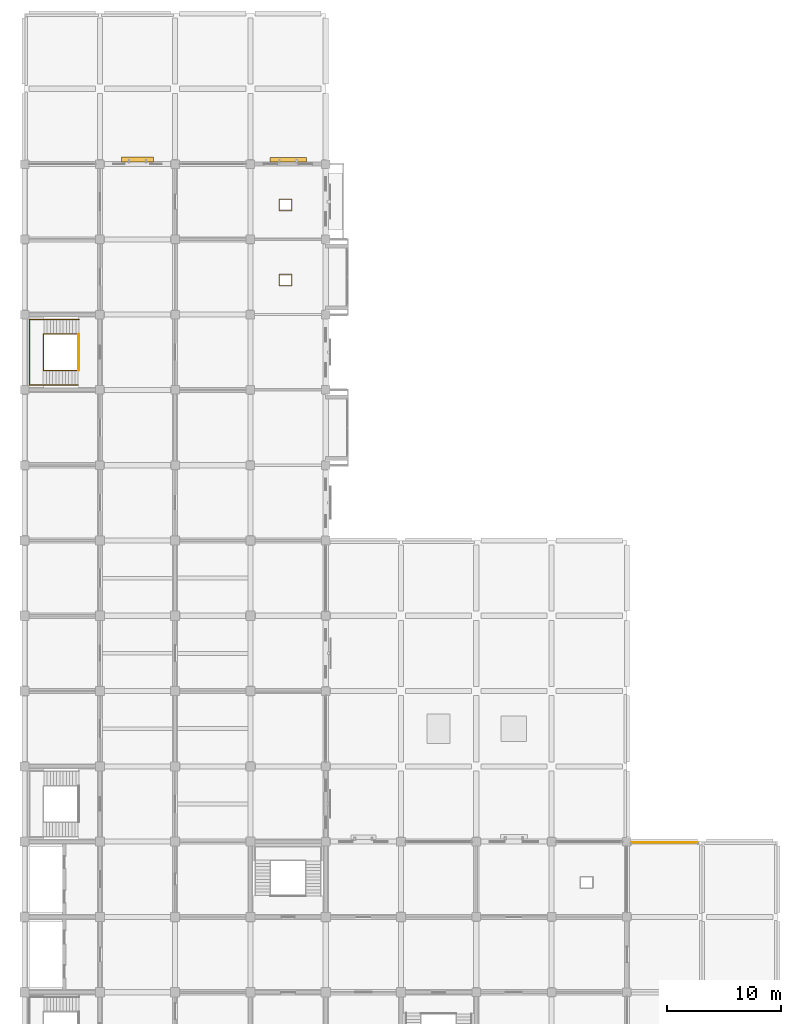
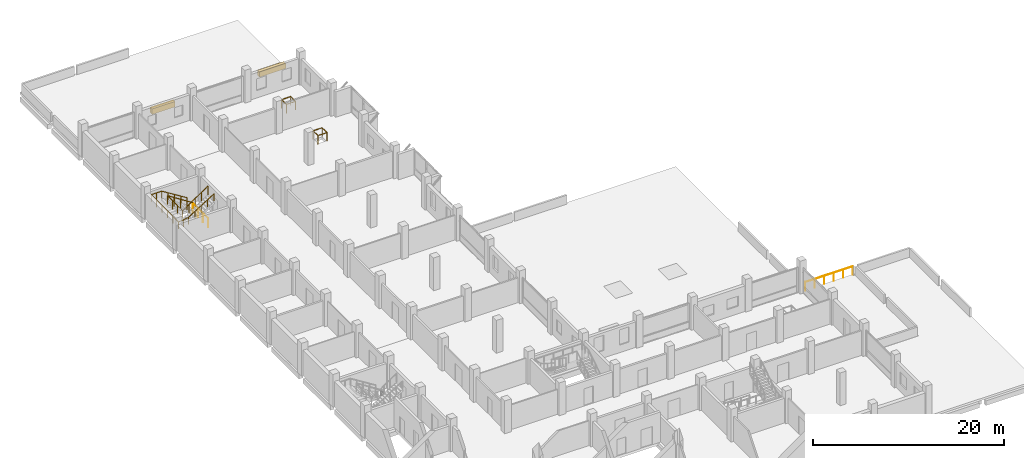
# One storey, part 23 of 23: 6 railings, 2 shading devices.
"""IFC4 building model written with IfcOpenShell, lengths in metres."""

from ifc_helpers import new_model, si_unit, direction, frame, origin, origin_2d, place, context, subcontext, project, spatial, rectangle, circle, extrude, material, type_object, element, save


model = new_model("IFC4")

# Units and contexts
model_context = context("Model", 3, precision=1e-05, world=origin(), true_north=direction((0.0, 1.0)))
body_context = subcontext(model_context, "Body", "Model", "MODEL_VIEW")
ifc_project = project(units=[si_unit("LENGTHUNIT", "METRE"), si_unit("AREAUNIT", "SQUARE_METRE"), si_unit("VOLUMEUNIT", "CUBIC_METRE"), si_unit("PLANEANGLEUNIT", "RADIAN"), si_unit("MASSUNIT", "GRAM", prefix="KILO")], contexts=[model_context])

# Site, building, storey
site_placement = place(None, origin())
site = spatial("IfcSite", under=ifc_project, at=site_placement, CompositionType="ELEMENT")
building_placement = place(site_placement, origin())
building = spatial("IfcBuilding", under=site, at=building_placement, Name="Rusizi Kubbe Research Institute", CompositionType="ELEMENT")
storey_placement = place(building_placement, frame((0.0, 0.0, 18.60009765625)))
storey = spatial("IfcBuildingStorey", under=building, at=storey_placement, Name="L04", CompositionType="ELEMENT", Elevation=18.60009765625)

# Railings
ifc_material_1 = material(Name="Architectural Painted Steel Balustrade", Category="steel")
railing_type_1 = type_object("IfcRailingType", Name="GR-EXT", PredefinedType="GUARDRAIL", material=ifc_material_1)
railing_1_placement = place(storey_placement, frame((53.219970703125, 26.320068359375, 0.0)))
element("IfcRailing", 1, at=railing_1_placement, inside=storey, type_object=railing_type_1, Name="Roof Terrace Guard L04-01", PredefinedType="GUARDRAIL", context=body_context, shape_type="SweptSolid", body=[
    extrude(circle(Radius=0.02392578125, at=origin_2d()), frame((0.0, 0.0, 1.09619140625), z_axis=(1.0, 0.0, 0.0), x_axis=(0.0, 1.0, 0.0)), (0.0, 0.0, 1.0), 5.760009765625),
    extrude(circle(Radius=0.02099609375, at=origin_2d()), origin(), (0.0, 0.0, 1.0), 1.072021484375),
    extrude(circle(Radius=0.02099609375, at=origin_2d()), frame((1.152099609375, 0.0, 0.0)), (0.0, 0.0, 1.0), 1.072021484375),
    extrude(circle(Radius=0.02099609375, at=origin_2d()), frame((2.303955078125, 0.0, 0.0)), (0.0, 0.0, 1.0), 1.072021484375),
    extrude(circle(Radius=0.02099609375, at=origin_2d()), frame((3.4560546875, 0.0, 0.0)), (0.0, 0.0, 1.0), 1.072021484375),
    extrude(circle(Radius=0.02099609375, at=origin_2d()), frame((4.60791015625, 0.0, 0.0)), (0.0, 0.0, 1.0), 1.072021484375),
    extrude(circle(Radius=0.02099609375, at=origin_2d()), frame((5.760009765625, 0.0, 0.0)), (0.0, 0.0, 1.0), 1.072021484375),
])
ifc_material_2 = material(Name="Painted Steel Stair Guard", Category="steel")
railing_type_2 = type_object("IfcRailingType", Name="GR-STAIR", PredefinedType="GUARDRAIL", material=ifc_material_2)
railing_2_placement = place(storey_placement, frame((4.780029296875, 70.889892578125, 0.08740234375)))
element("IfcRailing", 2, at=railing_2_placement, inside=storey, type_object=railing_type_2, Name="Stair Inner Well Guard ST5 L04", PredefinedType="GUARDRAIL", context=body_context, shape_type="SweptSolid", body=[
    extrude(circle(Radius=0.02392578125, at=origin_2d()), frame((0.0, 0.0, 1.09619140625), z_axis=(-0.840361383606, 0.0, 0.542026516828), x_axis=(0.0, -1.0, 0.0)), (0.0, 0.0, 1.0), 3.712890625),
    extrude(circle(Radius=0.02392578125, at=origin_2d()), frame((-3.1201171875, 0.0, 3.1083984375), z_axis=(0.0, -1.0, 0.0), x_axis=(1.0, 0.0, 0.0)), (0.0, 0.0, 1.0), 3.179931640625),
    extrude(circle(Radius=0.02392578125, at=origin_2d()), frame((-3.1201171875, -3.179931640625, 3.1083984375), z_axis=(0.82276741766, 0.0, 0.568378198419), x_axis=(0.0, 1.0, 0.0)), (0.0, 0.0, 1.0), 3.69482421875),
    extrude(circle(Radius=0.02099609375, at=origin_2d()), origin(), (0.0, 0.0, 1.0), 1.072021484375),
    extrude(circle(Radius=0.02099609375, at=origin_2d()), frame((-0.780029296875, 0.0, 0.503173828125)), (0.0, 0.0, 1.0), 1.072021484375),
    extrude(circle(Radius=0.02099609375, at=origin_2d()), frame((-1.56005859375, 0.0, 1.00634765625)), (0.0, 0.0, 1.0), 1.072021484375),
    extrude(circle(Radius=0.02099609375, at=origin_2d()), frame((-2.340087890625, 0.0, 1.50927734375)), (0.0, 0.0, 1.0), 1.072021484375),
    extrude(circle(Radius=0.02099609375, at=origin_2d()), frame((-3.1201171875, 0.0, 2.012451171875)), (0.0, 0.0, 1.0), 1.072021484375),
    extrude(circle(Radius=0.02099609375, at=origin_2d()), frame((-3.1201171875, -1.06005859375, 2.012451171875)), (0.0, 0.0, 1.0), 1.072021484375),
    extrude(circle(Radius=0.02099609375, at=origin_2d()), frame((-3.1201171875, -2.119873046875, 2.012451171875)), (0.0, 0.0, 1.0), 1.072021484375),
    extrude(circle(Radius=0.02099609375, at=origin_2d()), frame((-3.1201171875, -3.179931640625, 2.012451171875)), (0.0, 0.0, 1.0), 1.072021484375),
    extrude(circle(Radius=0.02099609375, at=origin_2d()), frame((-2.360107421875, -3.179931640625, 2.53759765625)), (0.0, 0.0, 1.0), 1.072021484375),
    extrude(circle(Radius=0.02099609375, at=origin_2d()), frame((-1.60009765625, -3.179931640625, 3.0625)), (0.0, 0.0, 1.0), 1.072021484375),
    extrude(circle(Radius=0.02099609375, at=origin_2d()), frame((-0.840087890625, -3.179931640625, 3.58740234375)), (0.0, 0.0, 1.0), 1.072021484375),
    extrude(circle(Radius=0.02099609375, at=origin_2d()), frame((-0.080078125, -3.179931640625, 4.112548828125)), (0.0, 0.0, 1.0), 1.072021484375),
])
railing_3_placement = place(storey_placement, frame((4.75, 70.889892578125, 0.0)))
element("IfcRailing", 3, at=railing_3_placement, inside=storey, type_object=railing_type_2, Name="Stair Floor Edge Guard ST5 L04", PredefinedType="GUARDRAIL", context=body_context, shape_type="SweptSolid", body=[
    extrude(circle(Radius=0.02392578125, at=origin_2d()), frame((0.0, 0.0, 1.09619140625), z_axis=(0.0, -1.0, 0.0), x_axis=(1.0, 0.0, 0.0)), (0.0, 0.0, 1.0), 3.179931640625),
    extrude(circle(Radius=0.02099609375, at=origin_2d()), origin(), (0.0, 0.0, 1.0), 1.072021484375),
    extrude(circle(Radius=0.02099609375, at=origin_2d()), frame((0.0, -1.06005859375, 0.0)), (0.0, 0.0, 1.0), 1.072021484375),
    extrude(circle(Radius=0.02099609375, at=origin_2d()), frame((0.0, -2.119873046875, 0.0)), (0.0, 0.0, 1.0), 1.072021484375),
    extrude(circle(Radius=0.02099609375, at=origin_2d()), frame((0.0, -3.179931640625, 0.0)), (0.0, 0.0, 1.0), 1.072021484375),
])
railing_4_placement = place(storey_placement, frame((22.320068359375, 75.1201171875, 0.0)))
element("IfcRailing", 4, at=railing_4_placement, inside=storey, type_object=railing_type_2, Name="Service Riser Guard L04 NORTHA", PredefinedType="GUARDRAIL", context=body_context, shape_type="SweptSolid", body=[
    extrude(circle(Radius=0.02392578125, at=origin_2d()), frame((0.0, 0.0, 1.09619140625), z_axis=(1.0, 0.0, 0.0), x_axis=(0.0, 1.0, 0.0)), (0.0, 0.0, 1.0), 1.10986328125),
    extrude(circle(Radius=0.02392578125, at=origin_2d()), frame((1.10986328125, 0.0, 1.09619140625), z_axis=(0.0, 1.0, 0.0), x_axis=(-1.0, 0.0, 0.0)), (0.0, 0.0, 1.0), 1.009765625),
    extrude(circle(Radius=0.02392578125, at=origin_2d()), frame((1.10986328125, 1.009765625, 1.09619140625), z_axis=(-1.0, 0.0, 0.0), x_axis=(0.0, -1.0, 0.0)), (0.0, 0.0, 1.0), 1.10986328125),
    extrude(circle(Radius=0.02392578125, at=origin_2d()), frame((0.0, 1.009765625, 1.09619140625), z_axis=(0.0, -1.0, 0.0), x_axis=(1.0, 0.0, 0.0)), (0.0, 0.0, 1.0), 1.009765625),
    extrude(circle(Radius=0.02099609375, at=origin_2d()), origin(), (0.0, 0.0, 1.0), 1.072021484375),
    extrude(circle(Radius=0.02099609375, at=origin_2d()), frame((1.10986328125, 0.0, 0.0)), (0.0, 0.0, 1.0), 1.072021484375),
    extrude(circle(Radius=0.02099609375, at=origin_2d()), frame((1.10986328125, 1.009765625, 0.0)), (0.0, 0.0, 1.0), 1.072021484375),
    extrude(circle(Radius=0.02099609375, at=origin_2d()), frame((0.0, 1.009765625, 0.0)), (0.0, 0.0, 1.0), 1.072021484375),
])
railing_5_placement = place(storey_placement, frame((22.320068359375, 81.719970703125, 0.0)))
element("IfcRailing", 5, at=railing_5_placement, inside=storey, type_object=railing_type_2, Name="Service Riser Guard L04 NORTHB", PredefinedType="GUARDRAIL", context=body_context, shape_type="SweptSolid", body=[
    extrude(circle(Radius=0.02392578125, at=origin_2d()), frame((0.0, 0.0, 1.09619140625), z_axis=(1.0, 0.0, 0.0), x_axis=(0.0, 1.0, 0.0)), (0.0, 0.0, 1.0), 1.10986328125),
    extrude(circle(Radius=0.02392578125, at=origin_2d()), frame((1.10986328125, 0.0, 1.09619140625), z_axis=(0.0, 1.0, 0.0), x_axis=(-1.0, 0.0, 0.0)), (0.0, 0.0, 1.0), 1.010009765625),
    extrude(circle(Radius=0.02392578125, at=origin_2d()), frame((1.10986328125, 1.010009765625, 1.09619140625), z_axis=(-1.0, 0.0, 0.0), x_axis=(0.0, -1.0, 0.0)), (0.0, 0.0, 1.0), 1.10986328125),
    extrude(circle(Radius=0.02392578125, at=origin_2d()), frame((0.0, 1.010009765625, 1.09619140625), z_axis=(0.0, -1.0, 0.0), x_axis=(1.0, 0.0, 0.0)), (0.0, 0.0, 1.0), 1.010009765625),
    extrude(circle(Radius=0.02099609375, at=origin_2d()), origin(), (0.0, 0.0, 1.0), 1.072021484375),
    extrude(circle(Radius=0.02099609375, at=origin_2d()), frame((1.10986328125, 0.0, 0.0)), (0.0, 0.0, 1.0), 1.072021484375),
    extrude(circle(Radius=0.02099609375, at=origin_2d()), frame((1.10986328125, 1.010009765625, 0.0)), (0.0, 0.0, 1.0), 1.072021484375),
    extrude(circle(Radius=0.02099609375, at=origin_2d()), frame((0.0, 1.010009765625, 0.0)), (0.0, 0.0, 1.0), 1.072021484375),
])
ifc_material_3 = material(Name="Brushed Stainless Steel Handrail", Category="steel")
railing_type_3 = type_object("IfcRailingType", Name="HR-STAIR", PredefinedType="HANDRAIL", material=ifc_material_3)
railing_6_placement = place(storey_placement, frame((4.780029296875, 72.179931640625, 0.1748046875)))
element("IfcRailing", 6, at=railing_6_placement, inside=storey, type_object=railing_type_3, Name="Stair Wall Handrail ST5 L04", PredefinedType="HANDRAIL", context=body_context, shape_type="SweptSolid", body=[
    extrude(circle(Radius=0.02392578125, at=origin_2d()), frame((0.0, 0.0, 0.8759765625), z_axis=(-0.847998304005, 0.0, 0.529998940003), x_axis=(0.0, -1.0, 0.0)), (0.0, 0.0, 1.0), 3.632080078125),
    extrude(circle(Radius=0.02392578125, at=origin_2d()), frame((-3.080078125, 0.0, 2.80078125), z_axis=(-1.0, 0.0, 0.0), x_axis=(0.0, -1.0, 0.0)), (0.0, 0.0, 1.0), 1.280029296875),
    extrude(circle(Radius=0.02392578125, at=origin_2d()), frame((-4.360107421875, 0.0, 2.80078125), z_axis=(0.0, -1.0, 0.0), x_axis=(1.0, 0.0, 0.0)), (0.0, 0.0, 1.0), 5.760009765625),
    extrude(circle(Radius=0.02392578125, at=origin_2d()), frame((-4.360107421875, -5.760009765625, 2.80078125), z_axis=(0.989630492691, 0.0, 0.143636652482), x_axis=(0.0, 1.0, 0.0)), (0.0, 0.0, 1.0), 1.21875),
    extrude(circle(Radius=0.02392578125, at=origin_2d()), frame((-3.154052734375, -5.760009765625, 2.97607421875), z_axis=(0.847525270172, 0.0, 0.530755043706), x_axis=(0.0, 1.0, 0.0)), (0.0, 0.0, 1.0), 3.626953125),
    extrude(circle(Radius=0.02099609375, at=origin_2d()), origin(), (0.0, 0.0, 1.0), 0.851806640625),
    extrude(circle(Radius=0.02099609375, at=origin_2d()), frame((-0.77001953125, 0.0, 0.481201171875)), (0.0, 0.0, 1.0), 0.851806640625),
    extrude(circle(Radius=0.02099609375, at=origin_2d()), frame((-1.5400390625, 0.0, 0.96240234375)), (0.0, 0.0, 1.0), 0.851806640625),
    extrude(circle(Radius=0.02099609375, at=origin_2d()), frame((-2.31005859375, 0.0, 1.44384765625)), (0.0, 0.0, 1.0), 0.851806640625),
    extrude(circle(Radius=0.02099609375, at=origin_2d()), frame((-3.080078125, 0.0, 1.925048828125)), (0.0, 0.0, 1.0), 0.851806640625),
    extrude(circle(Radius=0.02099609375, at=origin_2d()), frame((-3.72021484375, 0.0, 1.925048828125)), (0.0, 0.0, 1.0), 0.851806640625),
    extrude(circle(Radius=0.02099609375, at=origin_2d()), frame((-4.360107421875, 0.0, 1.925048828125)), (0.0, 0.0, 1.0), 0.851806640625),
    extrude(circle(Radius=0.02099609375, at=origin_2d()), frame((-4.360107421875, -1.152099609375, 1.925048828125)), (0.0, 0.0, 1.0), 0.851806640625),
    extrude(circle(Radius=0.02099609375, at=origin_2d()), frame((-4.360107421875, -2.303955078125, 1.925048828125)), (0.0, 0.0, 1.0), 0.851806640625),
    extrude(circle(Radius=0.02099609375, at=origin_2d()), frame((-4.360107421875, -3.4560546875, 1.925048828125)), (0.0, 0.0, 1.0), 0.851806640625),
    extrude(circle(Radius=0.02099609375, at=origin_2d()), frame((-4.360107421875, -4.60791015625, 1.925048828125)), (0.0, 0.0, 1.0), 0.851806640625),
    extrude(circle(Radius=0.02099609375, at=origin_2d()), frame((-4.360107421875, -5.760009765625, 1.925048828125)), (0.0, 0.0, 1.0), 0.851806640625),
    extrude(circle(Radius=0.02099609375, at=origin_2d()), frame((-3.757080078125, -5.760009765625, 2.0126953125)), (0.0, 0.0, 1.0), 0.851806640625),
    extrude(circle(Radius=0.02099609375, at=origin_2d()), frame((-3.154052734375, -5.760009765625, 2.10009765625)), (0.0, 0.0, 1.0), 0.851806640625),
    extrude(circle(Radius=0.02099609375, at=origin_2d()), frame((-2.385498046875, -5.760009765625, 2.581298828125)), (0.0, 0.0, 1.0), 0.851806640625),
    extrude(circle(Radius=0.02099609375, at=origin_2d()), frame((-1.6171875, -5.760009765625, 3.0625)), (0.0, 0.0, 1.0), 0.851806640625),
    extrude(circle(Radius=0.02099609375, at=origin_2d()), frame((-0.8486328125, -5.760009765625, 3.5439453125)), (0.0, 0.0, 1.0), 0.851806640625),
    extrude(circle(Radius=0.02099609375, at=origin_2d()), frame((-0.080078125, -5.760009765625, 4.025146484375)), (0.0, 0.0, 1.0), 0.851806640625),
])

# Shading devices
ifc_material_4 = material(Name="Extruded Aluminium Solar Louver", Category="aluminium")
shading_device_type_1 = type_object("IfcShadingDeviceType", Name="SD-02", PredefinedType="SHUTTER", material=ifc_material_4)
shading_device_1_placement = place(storey_placement, frame((9.89990234375, 86.197509765625, 2.0400390625), z_axis=(0.0, 0.0, 1.0), x_axis=(1.0, 0.0, 0.0)))
element("IfcShadingDevice", 7, at=shading_device_1_placement, inside=storey, type_object=shading_device_type_1, Name="Solar Shading Louver SD-02-029", PredefinedType="SHUTTER", context=body_context, shape_type="SweptSolid", body=[
    extrude(rectangle(XDim=2.800048828125, YDim=0.419921875, at=origin_2d()), origin(), (0.0, 0.0, 1.0), 0.699951171875),
])
ifc_material_5 = material(Name="Extruded Aluminium Solar Louver", Category="aluminium")
shading_device_type_2 = type_object("IfcShadingDeviceType", Name="SD-03", PredefinedType="SHUTTER", material=ifc_material_5)
shading_device_2_placement = place(storey_placement, frame((23.10009765625, 86.1826171875, 2.284912109375), z_axis=(0.0, 0.0, 1.0), x_axis=(1.0, 0.0, 0.0)))
element("IfcShadingDevice", 8, at=shading_device_2_placement, inside=storey, type_object=shading_device_type_2, Name="Solar Shading Louver SD-03-030", PredefinedType="SHUTTER", context=body_context, shape_type="SweptSolid", body=[
    extrude(rectangle(XDim=3.199951171875, YDim=0.419921875, at=origin_2d()), origin(), (0.0, 0.0, 1.0), 0.64990234375),
])

save(model, "model.ifc")
